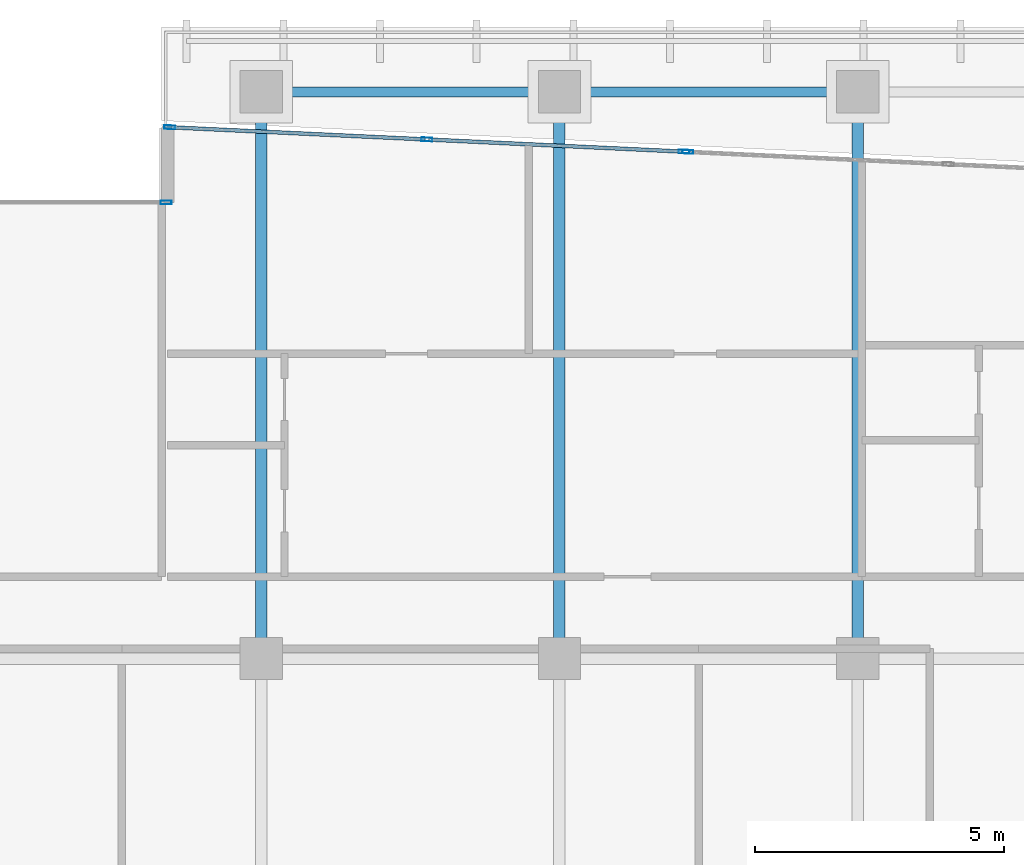
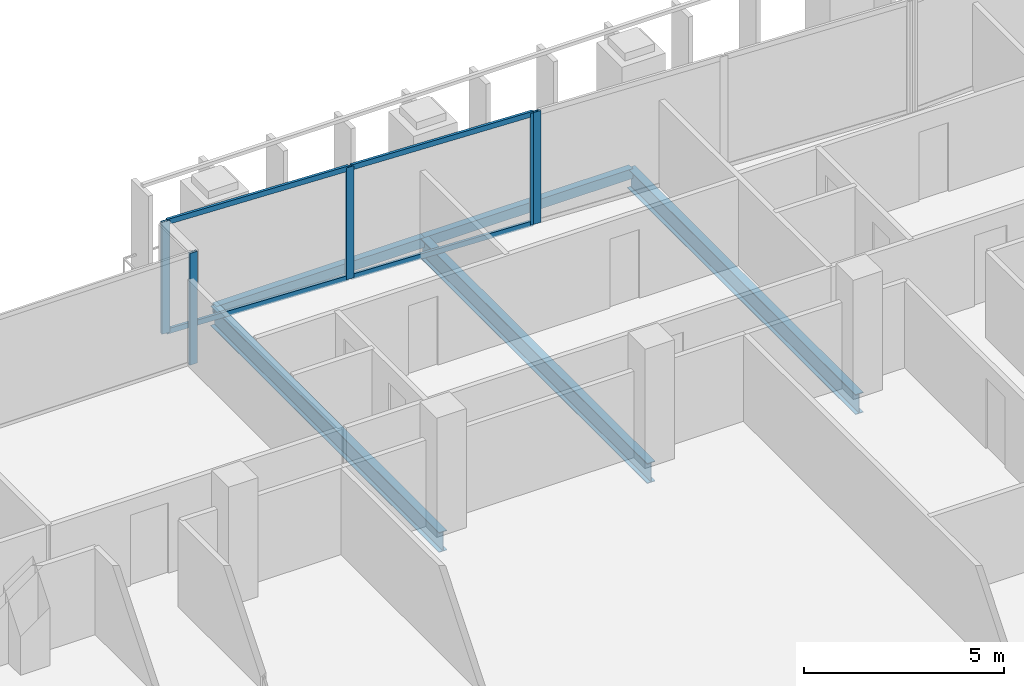
# One storey, part 11 of 28: 9 members, 5 beams, 3 elements without a shape of their own.
"""IFC4 building model written with IfcOpenShell, lengths in metres."""

from ifc_helpers import new_model, si_unit, direction, frame, origin, origin_2d, place, context, subcontext, project, spatial, hollow_rectangle, i_section, extrude, material, layer, layer_set, material_profile, profile_set, type_object, element, aggregate, save


model = new_model("IFC4")

# Units and contexts
model_context = context("Model", 3, precision=1e-05, world=origin(), true_north=direction((0.0, 1.0)))
body_context = subcontext(model_context, "Body", "Model", "MODEL_VIEW")
ifc_project = project(units=[si_unit("LENGTHUNIT", "METRE"), si_unit("AREAUNIT", "SQUARE_METRE"), si_unit("VOLUMEUNIT", "CUBIC_METRE"), si_unit("PLANEANGLEUNIT", "RADIAN"), si_unit("MASSUNIT", "GRAM", prefix="KILO")], contexts=[model_context])

# Site, building, storey
site_placement = place(None, origin())
site = spatial("IfcSite", under=ifc_project, at=site_placement, CompositionType="ELEMENT")
building_placement = place(site_placement, origin())
building = spatial("IfcBuilding", under=site, at=building_placement, Name="Tanjung Sevakor Pilgrim Tower", CompositionType="ELEMENT")
storey_placement = place(building_placement, frame((0.0, 0.0, 158.39990234375)))
storey = spatial("IfcBuildingStorey", under=building, at=storey_placement, Name="L44", CompositionType="ELEMENT", Elevation=158.39990234375)

# Beams
ifc_material_1 = material(Name="Steel S355J2", Category="steel")
ifc_material_profile_1 = material_profile(ifc_material_1, i_section(OverallWidth=0.22900390625, OverallDepth=0.6123046875, WebThickness=0.011962890625, FlangeThickness=0.01953125, FilletRadius=0.0126953125, at=origin_2d()))
ifc_profile_set_1 = profile_set([ifc_material_profile_1], Name="Steel S355J2")
beam_type_1 = type_object("IfcBeamType", Name="BM-B-G4-UB_610x229x125", PredefinedType="BEAM", material=ifc_profile_set_1)
for number, where, z_axis, x_axis, name in (
    (1, (54.0, 42.60009765625, -0.526123046875), (0.0, 1.0, 0.0), (-1.0, 0.0, 0.0), "L44 MAIN Girder 013"),
    (2, (60.0, 42.60009765625, -0.526123046875), (0.0, 1.0, 0.0), (-1.0, 0.0, 0.0), "L44 MAIN Girder 016"),
    (3, (66.0, 42.60009765625, -0.526123046875), (0.0, 1.0, 0.0), (-1.0, 0.0, 0.0), "L44 MAIN Girder 019"),
):
    element("IfcBeam", number, at=place(storey_placement, frame(where, z_axis=z_axis, x_axis=x_axis)), inside=storey, type_object=beam_type_1, Name=name, PredefinedType="BEAM", context=body_context, shape_type="SweptSolid", body=[
        extrude(i_section(OverallWidth=0.22900390625, OverallDepth=0.6123046875, WebThickness=0.011962890625, FlangeThickness=0.01953125, FilletRadius=0.0126953125, at=origin_2d()), origin(), (0.0, 0.0, 1.0), 11.39990234375),
    ])
ifc_material_2 = material(Name="Steel S355J2", Category="steel")
ifc_material_profile_2 = material_profile(ifc_material_2, hollow_rectangle(XDim=0.199951171875, YDim=0.300048828125, WallThickness=0.012451171875, at=origin_2d()))
ifc_profile_set_2 = profile_set([ifc_material_profile_2], Name="Steel S355J2")
beam_type_2 = type_object("IfcBeamType", Name="BM-B-SP3-RHS_300x200x12.5", PredefinedType="SPANDREL", material=ifc_profile_set_2)
for number, where, z_axis, x_axis, name in (
    (4, (54.0, 54.0, -0.369873046875), (1.0, 0.0, 0.0), (0.0, 1.0, 0.0), "L44 Spandrel MAIN N-08"),
    (5, (60.0, 54.0, -0.369873046875), (1.0, 0.0, 0.0), (0.0, 1.0, 0.0), "L44 Spandrel MAIN N-10"),
):
    element("IfcBeam", number, at=place(storey_placement, frame(where, z_axis=z_axis, x_axis=x_axis)), inside=storey, type_object=beam_type_2, Name=name, PredefinedType="SPANDREL", context=body_context, shape_type="SweptSolid", body=[
        extrude(hollow_rectangle(XDim=0.199951171875, YDim=0.300048828125, WallThickness=0.012451171875, at=origin_2d()), origin(), (0.0, 0.0, 1.0), 6.0),
    ])

# Curtain wall, member
ifc_material_3 = material(Name="Aluminium 6063-T6 and Low-E Glass", Category="aluminium")
ifc_layer_1 = layer(ifc_material_3, 0.199951171875)
ifc_layer_set_1 = layer_set([ifc_layer_1], Name="CW-SYS-PRAY")
curtain_wall_type_1 = type_object("IfcCurtainWallType", Name="CW-SYS-PRAY", PredefinedType="NOTDEFINED", material=ifc_layer_set_1)
curtain_wall_1_placement = place(storey_placement, origin())
curtain_wall_1 = element("IfcCurtainWall", 6, at=curtain_wall_1_placement, inside=storey, type_object=curtain_wall_type_1, Name="L44 Curtain Wall CW-PRY-L44-22", PredefinedType="NOTDEFINED")
ifc_material_4 = material(Name="Aluminium 6063-T6", Category="aluminium")
ifc_material_profile_3 = material_profile(ifc_material_4, hollow_rectangle(XDim=0.074951171875, YDim=0.219970703125, WallThickness=0.0048828125, at=origin_2d()))
ifc_profile_set_3 = profile_set([ifc_material_profile_3], Name="Aluminium 6063-T6")
member_type_1 = type_object("IfcMemberType", Name="TYPE-CWM-2", PredefinedType="MULLION", material=ifc_profile_set_3)
member_1_placement = place(storey_placement, frame((62.58154296875, 52.793212890625, 0.0), z_axis=(0.0, 0.0, 1.0), x_axis=(-0.04733271113, -0.998879179109, 0.0)))
member_1 = element("IfcMember", 7, at=member_1_placement, type_object=member_type_1, Name="CW-PRY mullion 3", PredefinedType="MULLION", context=body_context, shape_type="SweptSolid", body=[
    extrude(hollow_rectangle(XDim=0.074951171875, YDim=0.219970703125, WallThickness=0.0048828125, at=origin_2d()), origin(), (0.0, 0.0, 1.0), 3.41015625),
])
aggregate(curtain_wall_1, [member_1])

# Curtain wall, members
curtain_wall_2_placement = place(storey_placement, origin())
curtain_wall_2 = element("IfcCurtainWall", 8, at=curtain_wall_2_placement, inside=storey, type_object=curtain_wall_type_1, Name="L44 Curtain Wall CW-PRY-L44-23", PredefinedType="NOTDEFINED")
member_2_placement = place(storey_placement, frame((62.506591796875, 52.796875, 0.0), z_axis=(0.0, 0.0, 1.0), x_axis=(-0.047340591245, -0.998878805672, 0.0)))
member_2 = element("IfcMember", 9, at=member_2_placement, type_object=member_type_1, Name="CW-PRY mullion 1", PredefinedType="MULLION", context=body_context, shape_type="SweptSolid", body=[
    extrude(hollow_rectangle(XDim=0.074951171875, YDim=0.219970703125, WallThickness=0.0048828125, at=origin_2d()), origin(), (0.0, 0.0, 1.0), 3.41015625),
])
member_3_placement = place(storey_placement, frame((57.33447265625, 53.0419921875, 0.0), z_axis=(0.0, 0.0, 1.0), x_axis=(-0.047340591245, -0.998878805672, 0.0)))
member_3 = element("IfcMember", 10, at=member_3_placement, type_object=member_type_1, Name="CW-PRY mullion 2", PredefinedType="MULLION", context=body_context, shape_type="SweptSolid", body=[
    extrude(hollow_rectangle(XDim=0.074951171875, YDim=0.219970703125, WallThickness=0.0048828125, at=origin_2d()), origin(), (0.0, 0.0, 1.0), 3.41015625),
])
member_4_placement = place(storey_placement, frame((52.162353515625, 53.287109375, 0.0), z_axis=(0.0, 0.0, 1.0), x_axis=(-0.047340591245, -0.998878805672, 0.0)))
member_4 = element("IfcMember", 11, at=member_4_placement, type_object=member_type_1, Name="CW-PRY mullion 3", PredefinedType="MULLION", context=body_context, shape_type="SweptSolid", body=[
    extrude(hollow_rectangle(XDim=0.074951171875, YDim=0.219970703125, WallThickness=0.0048828125, at=origin_2d()), origin(), (0.0, 0.0, 1.0), 3.41015625),
])

# Curtain wall, member
ifc_material_5 = material(Name="Aluminium 6063-T6 and Low-E Glass", Category="aluminium")
ifc_layer_2 = layer(ifc_material_5, 0.179931640625)
ifc_layer_set_2 = layer_set([ifc_layer_2], Name="CW-SYS-CLEFT")
curtain_wall_type_2 = type_object("IfcCurtainWallType", Name="CW-SYS-CLEFT", PredefinedType="NOTDEFINED", material=ifc_layer_set_2)
curtain_wall_3_placement = place(storey_placement, origin())
curtain_wall_3 = element("IfcCurtainWall", 12, at=curtain_wall_3_placement, inside=storey, type_object=curtain_wall_type_2, Name="L44 Curtain Wall CW-CLF-L44-25", PredefinedType="NOTDEFINED")
member_5_placement = place(storey_placement, frame((52.08740234375, 51.77490234375, 0.0), z_axis=(0.0, 0.0, 1.0), x_axis=(0.0, -1.0, 0.0)))
member_5 = element("IfcMember", 13, at=member_5_placement, type_object=member_type_1, Name="CW-CLF mullion 1", PredefinedType="MULLION", context=body_context, shape_type="SweptSolid", body=[
    extrude(hollow_rectangle(XDim=0.074951171875, YDim=0.219970703125, WallThickness=0.0048828125, at=origin_2d()), origin(), (0.0, 0.0, 1.0), 3.41015625),
])
aggregate(curtain_wall_3, [member_5])

# Member
ifc_material_6 = material(Name="Aluminium 6063-T6", Category="aluminium")
ifc_material_profile_4 = material_profile(ifc_material_6, hollow_rectangle(XDim=0.074951171875, YDim=0.159912109375, WallThickness=0.00439453125, at=origin_2d()))
ifc_profile_set_4 = profile_set([ifc_material_profile_4], Name="Aluminium 6063-T6")
member_type_2 = type_object("IfcMemberType", Name="TYPE-CWT-2", PredefinedType="USERDEFINED", material=ifc_profile_set_4)
member_6_placement = place(storey_placement, frame((62.46923828125, 52.798583984375, 0.03759765625), z_axis=(-0.998877643108, 0.047365114794, 0.0), x_axis=(-0.047365114794, -0.998877643108, 0.0)))
member_6 = element("IfcMember", 14, at=member_6_placement, type_object=member_type_2, Name="CW-PRY transom 1.1", ObjectType="TRANSOM", PredefinedType="USERDEFINED", context=body_context, shape_type="SweptSolid", body=[
    extrude(hollow_rectangle(XDim=0.074951171875, YDim=0.159912109375, WallThickness=0.00439453125, at=origin_2d()), origin(), (0.0, 0.0, 1.0), 5.102783203125),
])

member_7_placement = place(storey_placement, frame((62.46923828125, 52.798583984375, 3.37255859375), z_axis=(-0.998877643108, 0.047365114794, 0.0), x_axis=(-0.047365114794, -0.998877643108, 0.0)))
member_7 = element("IfcMember", 15, at=member_7_placement, type_object=member_type_2, Name="CW-PRY transom 1.2", ObjectType="TRANSOM", PredefinedType="USERDEFINED", context=body_context, shape_type="SweptSolid", body=[
    extrude(hollow_rectangle(XDim=0.074951171875, YDim=0.159912109375, WallThickness=0.00439453125, at=origin_2d()), origin(), (0.0, 0.0, 1.0), 5.102783203125),
])

member_8_placement = place(storey_placement, frame((57.297119140625, 53.043701171875, 0.03759765625), z_axis=(-0.998877643108, 0.047365114794, 0.0), x_axis=(-0.047365114794, -0.998877643108, 0.0)))
member_8 = element("IfcMember", 16, at=member_8_placement, type_object=member_type_2, Name="CW-PRY transom 2.1", ObjectType="TRANSOM", PredefinedType="USERDEFINED", context=body_context, shape_type="SweptSolid", body=[
    extrude(hollow_rectangle(XDim=0.074951171875, YDim=0.159912109375, WallThickness=0.00439453125, at=origin_2d()), origin(), (0.0, 0.0, 1.0), 5.102783203125),
])

member_9_placement = place(storey_placement, frame((57.297119140625, 53.043701171875, 3.37255859375), z_axis=(-0.998877643108, 0.047365114794, 0.0), x_axis=(-0.047365114794, -0.998877643108, 0.0)))
member_9 = element("IfcMember", 17, at=member_9_placement, type_object=member_type_2, Name="CW-PRY transom 2.2", ObjectType="TRANSOM", PredefinedType="USERDEFINED", context=body_context, shape_type="SweptSolid", body=[
    extrude(hollow_rectangle(XDim=0.074951171875, YDim=0.159912109375, WallThickness=0.00439453125, at=origin_2d()), origin(), (0.0, 0.0, 1.0), 5.102783203125),
])

aggregate(curtain_wall_2, [member_2, member_3, member_4, member_6, member_7, member_8, member_9])

save(model, "model.ifc")
